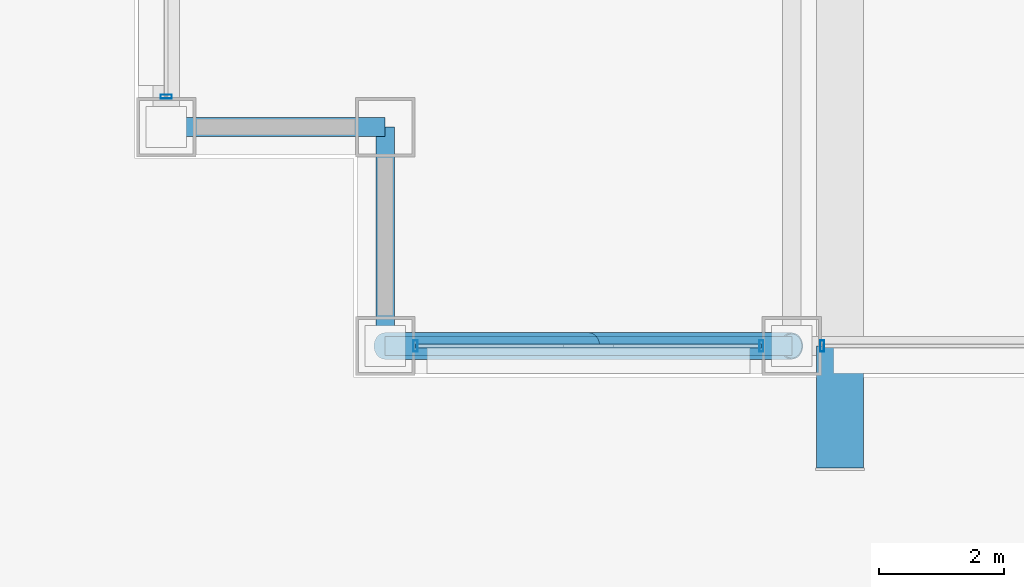
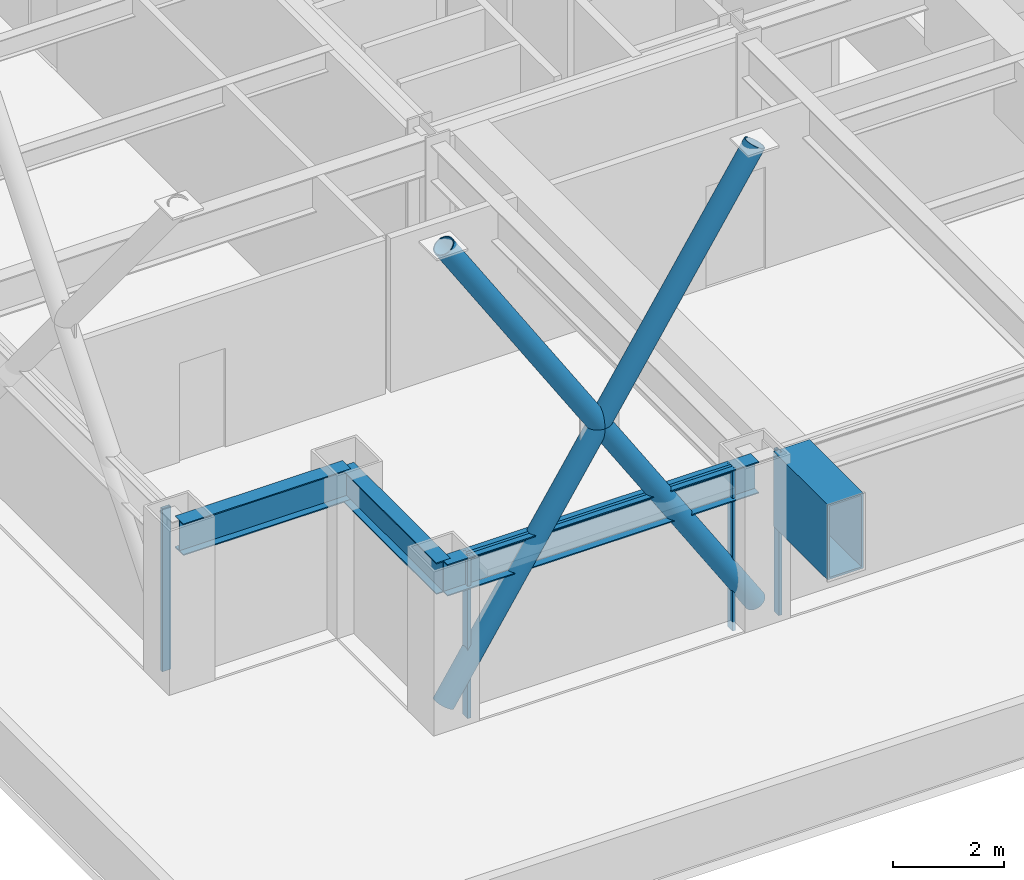
# One storey, part 2 of 33: 8 members, 4 beams, 3 elements without a shape of their own.
"""IFC4 building model written with IfcOpenShell, lengths in metres."""

from ifc_helpers import new_model, si_unit, direction, frame, origin, origin_2d, place, context, subcontext, project, spatial, hollow_rectangle, hollow_circle, i_section, extrude, material, layer, layer_set, material_profile, profile_set, type_object, element, aggregate, save


model = new_model("IFC4")

# Units and contexts
model_context = context("Model", 3, precision=1e-05, world=origin(), true_north=direction((0.0, 1.0)))
body_context = subcontext(model_context, "Body", "Model", "MODEL_VIEW")
ifc_project = project(units=[si_unit("LENGTHUNIT", "METRE"), si_unit("AREAUNIT", "SQUARE_METRE"), si_unit("VOLUMEUNIT", "CUBIC_METRE"), si_unit("PLANEANGLEUNIT", "RADIAN"), si_unit("MASSUNIT", "GRAM", prefix="KILO")], contexts=[model_context])

# Site, building, storey
site_placement = place(None, origin())
site = spatial("IfcSite", under=ifc_project, at=site_placement, CompositionType="ELEMENT")
building_placement = place(site_placement, origin())
building = spatial("IfcBuilding", under=site, at=building_placement, Name="Brelmoor Portico Tower", CompositionType="ELEMENT")
storey_placement = place(building_placement, frame((0.0, 0.0, 24.0)))
storey = spatial("IfcBuildingStorey", under=building, at=storey_placement, Name="L05", CompositionType="ELEMENT", Elevation=24.0)

# Beams
ifc_material_1 = material(Name="Steel Q355B", Category="steel")
ifc_material_profile_1 = material_profile(ifc_material_1, hollow_rectangle(XDim=0.75, YDim=1.659912109375, WallThickness=0.0419921875, at=origin_2d()), Name="BOX 750x1660x42")
ifc_profile_set_1 = profile_set([ifc_material_profile_1], Name="Steel Q355B")
beam_type_1 = type_object("IfcBeamType", Name="BM-PF-CANT", PredefinedType="BEAM", material=ifc_profile_set_1)
beam_1_placement = place(storey_placement, frame((-13.780029296875, -23.5, 2.570068359375), z_axis=(0.0, 1.0, 0.0), x_axis=(-1.0, 0.0, 0.0)))
element("IfcBeam", 1, at=beam_1_placement, inside=storey, type_object=beam_type_1, Name="L05 Picture-Frame Outrigger Transfer Cantilever PFB-01", PredefinedType="BEAM", context=body_context, shape_type="SweptSolid", body=[
    extrude(hollow_rectangle(XDim=0.75, YDim=1.659912109375, WallThickness=0.0419921875, at=origin_2d()), origin(), (0.0, 0.0, 1.0), 1.949951171875),
])
ifc_material_profile_2 = material_profile(ifc_material_1, i_section(OverallWidth=0.300048828125, OverallDepth=0.699951171875, WebThickness=0.012939453125, FlangeThickness=0.02392578125, at=origin_2d()), Name="HN 700x300x13x24")
ifc_profile_set_2 = profile_set([ifc_material_profile_2], Name="Steel Q355B")
beam_type_2 = type_object("IfcBeamType", Name="BM-SP-700", PredefinedType="SPANDREL", material=ifc_profile_set_2)
beam_2_placement = place(storey_placement, frame((-21.050048828125, -21.550048828125, 3.050048828125), z_axis=(1.0, 0.0, 0.0), x_axis=(0.0, 1.0, 0.0)))
element("IfcBeam", 2, at=beam_2_placement, inside=storey, type_object=beam_type_2, Name="L05 Perimeter Spandrel Beam SP-01", PredefinedType="SPANDREL", context=body_context, shape_type="SweptSolid", body=[
    extrude(i_section(OverallWidth=0.300048828125, OverallDepth=0.699951171875, WebThickness=0.012939453125, FlangeThickness=0.02392578125, at=origin_2d()), origin(), (0.0, 0.0, 1.0), 6.5),
])
for number, where, z_axis, x_axis, name in (
    (3, (-24.550048828125, -18.050048828125, 3.050048828125), (1.0, 0.0, 0.0), (0.0, 1.0, 0.0), "L05 Perimeter Spandrel Beam SP-06"),
    (4, (-21.050048828125, -21.550048828125, 3.050048828125), (0.0, 1.0, 0.0), (-1.0, 0.0, 0.0), "L05 Perimeter Spandrel Beam SP-18"),
):
    element("IfcBeam", number, at=place(storey_placement, frame(where, z_axis=z_axis, x_axis=x_axis)), inside=storey, type_object=beam_type_2, Name=name, PredefinedType="SPANDREL", context=body_context, shape_type="SweptSolid", body=[
        extrude(i_section(OverallWidth=0.300048828125, OverallDepth=0.699951171875, WebThickness=0.012939453125, FlangeThickness=0.02392578125, at=origin_2d()), origin(), (0.0, 0.0, 1.0), 3.5),
    ])

# Members
ifc_material_profile_3 = material_profile(ifc_material_1, hollow_circle(Radius=0.212890625, WallThickness=0.02001953125, at=origin_2d()), Name="CHS 426x20")
ifc_profile_set_3 = profile_set([ifc_material_profile_3], Name="Steel Q355B")
member_type_1 = type_object("IfcMemberType", Name="MB-BELT-DIAG1", PredefinedType="BRACE", material=ifc_profile_set_3)
member_1_placement = place(storey_placement, frame((-21.050048828125, -21.550048828125, 0.25), z_axis=(0.541174623135, 0.0, 0.840910237347), x_axis=(0.0, 1.0, 0.0)))
element("IfcMember", 5, at=member_1_placement, inside=storey, type_object=member_type_1, Name="L05 Continuous Mega-X Brace 001A", PredefinedType="BRACE", context=body_context, shape_type="SweptSolid", body=[
    extrude(hollow_circle(Radius=0.212890625, WallThickness=0.02001953125, at=origin_2d()), origin(), (0.0, 0.0, 1.0), 12.010986328125),
])
for number, where, z_axis, x_axis, name in (
    (6, (-14.550048828125, -21.550048828125, 0.25), (-0.541174623135, 0.0, 0.840910237347), (0.0, -1.0, 0.0), "L05 Split Mega-X Brace 001B1"),
    (7, (-17.800048828125, -21.550048828125, 5.300048828125), (-0.541174623135, 0.0, 0.840910237347), (0.0, -1.0, 0.0), "L05 Split Mega-X Brace 001B2"),
):
    element("IfcMember", number, at=place(storey_placement, frame(where, z_axis=z_axis, x_axis=x_axis)), inside=storey, type_object=member_type_1, Name=name, PredefinedType="BRACE", context=body_context, shape_type="SweptSolid", body=[
        extrude(hollow_circle(Radius=0.212890625, WallThickness=0.02001953125, at=origin_2d()), origin(), (0.0, 0.0, 1.0), 6.00537109375),
    ])

# Curtain wall, members
ifc_material_2 = material(Name="Anodised Aluminium Alloy 6063-T6", Category="aluminium")
ifc_layer = layer(ifc_material_2, 0.179931640625)
ifc_layer_set = layer_set([ifc_layer], Name="Anodised Aluminium Alloy 6063-T6")
curtain_wall_type = type_object("IfcCurtainWallType", Name="CW-TOWER-Z1-XB", PredefinedType="NOTDEFINED", material=ifc_layer_set)
curtain_wall_1_placement = place(storey_placement, origin())
curtain_wall_1 = element("IfcCurtainWall", 8, at=curtain_wall_1_placement, inside=storey, type_object=curtain_wall_type, Name="L05 Curtain Wall CW-L05-01-1", PredefinedType="NOTDEFINED")
ifc_material_profile_4 = material_profile(ifc_material_2, hollow_rectangle(XDim=0.06494140625, YDim=0.179931640625, WallThickness=0.00390625, at=origin_2d()), Name="ALU MULLION 65x180")
ifc_profile_set_4 = profile_set([ifc_material_profile_4], Name="Anodised Aluminium Alloy 6063-T6")
member_type_2 = type_object("IfcMemberType", Name="MB-CW-MULL-180", PredefinedType="MULLION", material=ifc_profile_set_4)
member_2_placement = place(storey_placement, frame((-20.56494140625, -21.550048828125, -0.199951171875), z_axis=(0.0, 0.0, 1.0), x_axis=(1.0, 0.0, 0.0)))
member_2 = element("IfcMember", 9, at=member_2_placement, type_object=member_type_2, Name="CW-L05-01-1 Mullion 00", PredefinedType="MULLION", context=body_context, shape_type="SweptSolid", body=[
    extrude(hollow_rectangle(XDim=0.06494140625, YDim=0.179931640625, WallThickness=0.00390625, at=origin_2d()), origin(), (0.0, 0.0, 1.0), 3.599853515625),
])
member_3_placement = place(storey_placement, frame((-15.034912109375, -21.550048828125, -0.199951171875), z_axis=(0.0, 0.0, 1.0), x_axis=(1.0, 0.0, 0.0)))
member_3 = element("IfcMember", 10, at=member_3_placement, type_object=member_type_2, Name="CW-L05-01-1 Mullion 01", PredefinedType="MULLION", context=body_context, shape_type="SweptSolid", body=[
    extrude(hollow_rectangle(XDim=0.06494140625, YDim=0.179931640625, WallThickness=0.00390625, at=origin_2d()), origin(), (0.0, 0.0, 1.0), 3.599853515625),
])

# Curtain wall, member
curtain_wall_2_placement = place(storey_placement, origin())
curtain_wall_2 = element("IfcCurtainWall", 11, at=curtain_wall_2_placement, inside=storey, type_object=curtain_wall_type, Name="L05 Curtain Wall CW-L05-01-2", PredefinedType="NOTDEFINED")
member_4_placement = place(storey_placement, frame((-14.06494140625, -21.550048828125, -0.199951171875), z_axis=(0.0, 0.0, 1.0), x_axis=(1.0, 0.0, 0.0)))
member_4 = element("IfcMember", 12, at=member_4_placement, type_object=member_type_2, Name="CW-L05-01-2 Mullion 00", PredefinedType="MULLION", context=body_context, shape_type="SweptSolid", body=[
    extrude(hollow_rectangle(XDim=0.06494140625, YDim=0.179931640625, WallThickness=0.00390625, at=origin_2d()), origin(), (0.0, 0.0, 1.0), 3.599853515625),
])
aggregate(curtain_wall_2, [member_4])

curtain_wall_3_placement = place(storey_placement, origin())
curtain_wall_3 = element("IfcCurtainWall", 13, at=curtain_wall_3_placement, inside=storey, type_object=curtain_wall_type, Name="L05 Curtain Wall CW-L05-03-1", PredefinedType="NOTDEFINED")
member_5_placement = place(storey_placement, frame((-24.550048828125, -17.56494140625, -0.199951171875), z_axis=(0.0, 0.0, 1.0), x_axis=(0.0, 1.0, 0.0)))
member_5 = element("IfcMember", 14, at=member_5_placement, type_object=member_type_2, Name="CW-L05-03-1 Mullion 00", PredefinedType="MULLION", context=body_context, shape_type="SweptSolid", body=[
    extrude(hollow_rectangle(XDim=0.06494140625, YDim=0.179931640625, WallThickness=0.00390625, at=origin_2d()), origin(), (0.0, 0.0, 1.0), 3.599853515625),
])
aggregate(curtain_wall_3, [member_5])

# Member
ifc_material_profile_5 = material_profile(ifc_material_2, hollow_rectangle(XDim=0.06494140625, YDim=0.139892578125, WallThickness=0.00390625, at=origin_2d()), Name="ALU TRANSOM 65x140")
ifc_profile_set_5 = profile_set([ifc_material_profile_5], Name="Anodised Aluminium Alloy 6063-T6")
member_type_3 = type_object("IfcMemberType", Name="MB-CW-TRAN-140", PredefinedType="USERDEFINED", material=ifc_profile_set_5)
member_6_placement = place(storey_placement, frame((-20.56494140625, -21.550048828125, 3.330078125), z_axis=(1.0, 0.0, 0.0), x_axis=(0.0, 1.0, 0.0)))
member_6 = element("IfcMember", 15, at=member_6_placement, type_object=member_type_3, Name="CW-L05-01-1 Transom 1-00", ObjectType="TRANSOM", PredefinedType="USERDEFINED", context=body_context, shape_type="SweptSolid", body=[
    extrude(hollow_rectangle(XDim=0.06494140625, YDim=0.139892578125, WallThickness=0.00390625, at=origin_2d()), origin(), (0.0, 0.0, 1.0), 5.530029296875),
])

aggregate(curtain_wall_1, [member_2, member_3, member_6])

save(model, "model.ifc")
